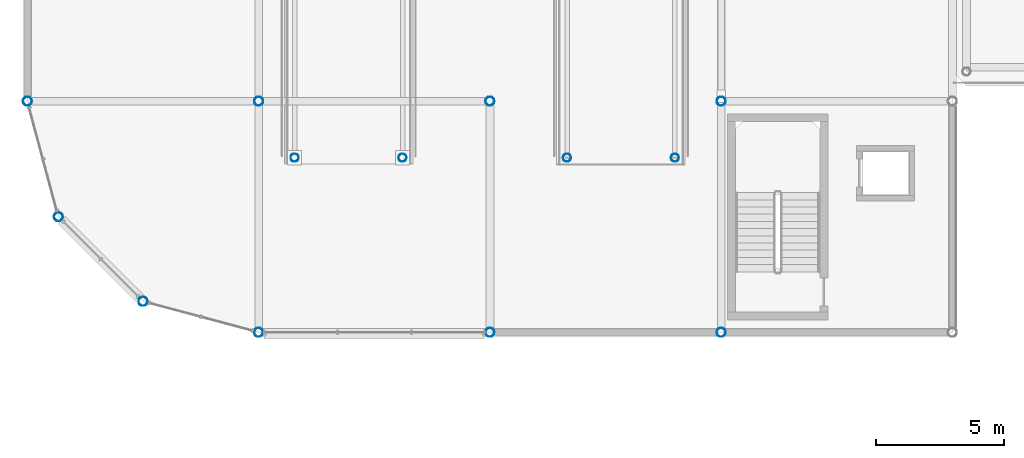
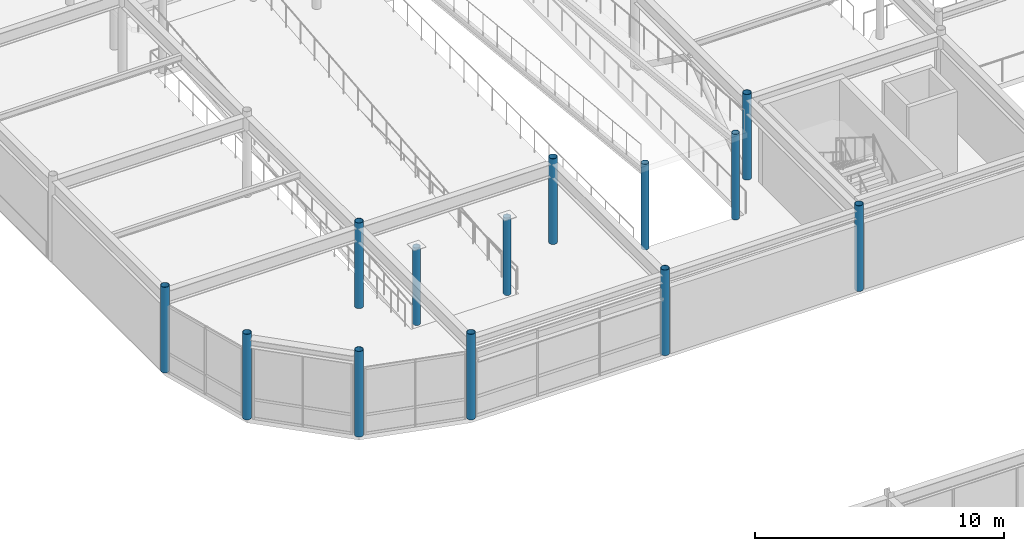
# One storey, part 8 of 108: 13 columns.
"""IFC4 building model written with IfcOpenShell, lengths in metres."""

from ifc_helpers import new_model, si_unit, direction, frame, origin, origin_2d, place, context, subcontext, project, spatial, hollow_circle, extrude, material, material_profile, profile_set, type_object, element, save


model = new_model("IFC4")

# Units and contexts
model_context = context("Model", 3, precision=1e-05, world=origin(), true_north=direction((0.0, 1.0)))
body_context = subcontext(model_context, "Body", "Model", "MODEL_VIEW")
ifc_project = project(units=[si_unit("LENGTHUNIT", "METRE"), si_unit("AREAUNIT", "SQUARE_METRE"), si_unit("VOLUMEUNIT", "CUBIC_METRE"), si_unit("PLANEANGLEUNIT", "RADIAN"), si_unit("MASSUNIT", "GRAM", prefix="KILO")], contexts=[model_context])

# Site, building, storey
site_placement = place(None, origin())
site = spatial("IfcSite", under=ifc_project, at=site_placement, CompositionType="ELEMENT")
building_placement = place(site_placement, origin())
building = spatial("IfcBuilding", under=site, at=building_placement, Name="Suzunagisa Mobility Hub", CompositionType="ELEMENT")
storey_placement = place(building_placement, frame((0.0, 0.0, 9.300048828125)))
storey = spatial("IfcBuildingStorey", under=building, at=storey_placement, Name="L02", CompositionType="ELEMENT", Elevation=9.300048828125)

# Columns
ifc_material = material(Name="Steel SN490B", Category="steel")
ifc_material_profile_1 = material_profile(ifc_material, hollow_circle(Radius=0.1591796875, WallThickness=0.01025390625, at=origin_2d()), Name="CHS-318.5x10.3")
ifc_profile_set_1 = profile_set([ifc_material_profile_1], Name="Steel SN490B")
column_type_1 = type_object("IfcColumnType", Name="Steel Column CL-09 CHS-318.5x10.3", PredefinedType="COLUMN", material=ifc_profile_set_1)
for number, where, z_axis, x_axis, name in (
    (1, (10.39990234375, 86.800048828125, 0.0), (0.0, 0.0, 1.0), (1.0, 0.0, 0.0), "L02 Column 35"),
    (2, (14.60009765625, 86.800048828125, 0.0), (0.0, 0.0, 1.0), (1.0, 0.0, 0.0), "L02 Column 38"),
):
    element("IfcColumn", number, at=place(storey_placement, frame(where, z_axis=z_axis, x_axis=x_axis)), inside=storey, type_object=column_type_1, Name=name, PredefinedType="COLUMN", context=body_context, shape_type="SweptSolid", body=[
        extrude(hollow_circle(Radius=0.1591796875, WallThickness=0.01025390625, at=origin_2d()), origin(), (0.0, 0.0, 1.0), 3.800048828125),
    ])
for number, where, z_axis, x_axis, name in (
    (3, (21.0, 86.800048828125, 0.0), (0.0, 0.0, 1.0), (1.0, 0.0, 0.0), "L02 Column 55"),
    (4, (25.199951171875, 86.800048828125, 0.0), (0.0, 0.0, 1.0), (1.0, 0.0, 0.0), "L02 Column 57"),
):
    element("IfcColumn", number, at=place(storey_placement, frame(where, z_axis=z_axis, x_axis=x_axis)), inside=storey, type_object=column_type_1, Name=name, PredefinedType="COLUMN", context=body_context, shape_type="SweptSolid", body=[
        extrude(hollow_circle(Radius=0.1591796875, WallThickness=0.01025390625, at=origin_2d()), origin(), (0.0, 0.0, 1.0), 4.199951171875),
    ])
ifc_material_profile_2 = material_profile(ifc_material, hollow_circle(Radius=0.177734375, WallThickness=0.0126953125, at=origin_2d()), Name="CHS-355.6x12.7")
ifc_profile_set_2 = profile_set([ifc_material_profile_2], Name="Steel SN490B")
column_type_2 = type_object("IfcColumnType", Name="Steel Column CL-18 CHS-355.6x12.7", PredefinedType="COLUMN", material=ifc_profile_set_2)
for number, where, z_axis, x_axis, name in (
    (5, (0.0, 89.0, 0.0), (0.0, 0.0, 1.0), (1.0, 0.0, 0.0), "L02 Column 8"),
    (6, (1.205810546875, 84.5, 0.0), (0.0, 0.0, 1.0), (1.0, 0.0, 0.0), "L02 Column 13"),
    (7, (4.5, 81.205810546875, 0.0), (0.0, 0.0, 1.0), (1.0, 0.0, 0.0), "L02 Column 18"),
    (8, (9.0, 80.0, 0.0), (0.0, 0.0, 1.0), (1.0, 0.0, 0.0), "L02 Column 28"),
    (9, (9.0, 89.0, 0.0), (0.0, 0.0, 1.0), (1.0, 0.0, 0.0), "L02 Column 29"),
    (10, (18.0, 80.0, 0.0), (0.0, 0.0, 1.0), (1.0, 0.0, 0.0), "L02 Column 50"),
    (11, (18.0, 89.0, 0.0), (0.0, 0.0, 1.0), (1.0, 0.0, 0.0), "L02 Column 51"),
    (12, (27.0, 80.0, 0.0), (0.0, 0.0, 1.0), (1.0, 0.0, 0.0), "L02 Column 70"),
    (13, (27.0, 89.0, 0.0), (0.0, 0.0, 1.0), (1.0, 0.0, 0.0), "L02 Column 71"),
):
    element("IfcColumn", number, at=place(storey_placement, frame(where, z_axis=z_axis, x_axis=x_axis)), inside=storey, type_object=column_type_2, Name=name, PredefinedType="COLUMN", context=body_context, shape_type="SweptSolid", body=[
        extrude(hollow_circle(Radius=0.177734375, WallThickness=0.0126953125, at=origin_2d()), origin(), (0.0, 0.0, 1.0), 4.199951171875),
    ])

save(model, "model.ifc")
